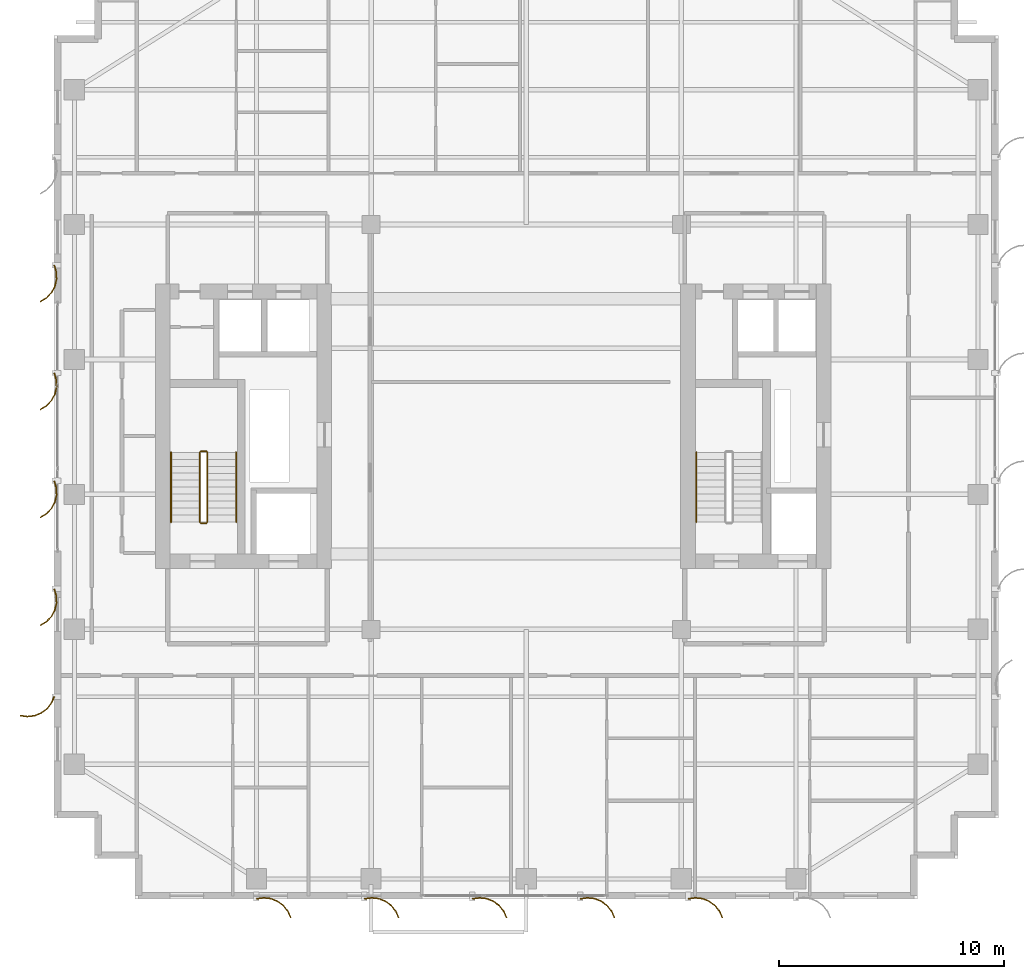
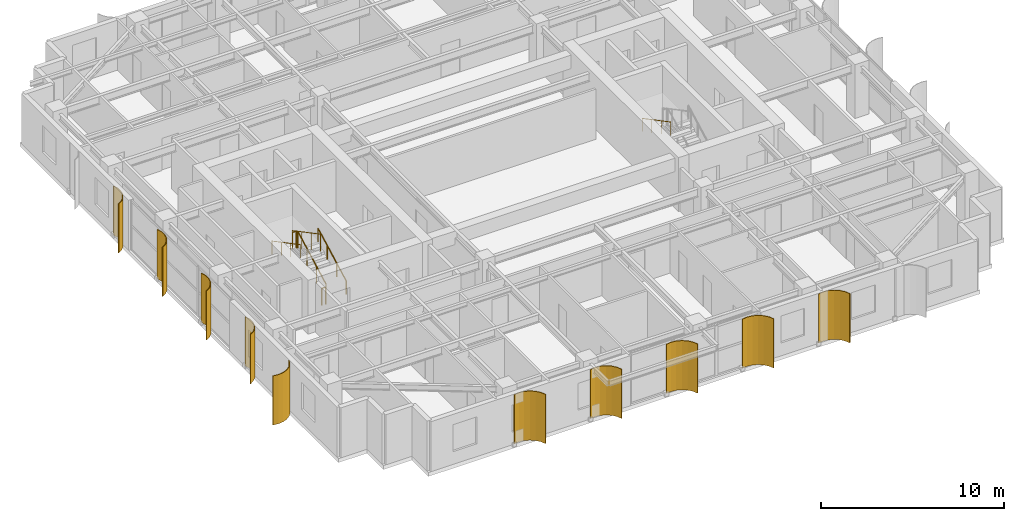
# One storey, part 19 of 21: 10 shading devices, 7 railings.
"""IFC4 building model written with IfcOpenShell, lengths in metres."""

from ifc_helpers import new_model, si_unit, direction, frame, origin, origin_2d, place, context, subcontext, project, spatial, polyline, circle, outline, extrude, source, transform, mapped, material, layer, layer_set, type_object, element, save


model = new_model("IFC4")

# Units and contexts
model_context = context("Model", 3, precision=1e-05, world=origin(), true_north=direction((0.0, 1.0)))
body_context = subcontext(model_context, "Body", "Model", "MODEL_VIEW")
ifc_project = project(units=[si_unit("LENGTHUNIT", "METRE"), si_unit("AREAUNIT", "SQUARE_METRE"), si_unit("VOLUMEUNIT", "CUBIC_METRE"), si_unit("PLANEANGLEUNIT", "RADIAN"), si_unit("MASSUNIT", "GRAM", prefix="KILO")], contexts=[model_context])

# Site, building, storey
site_placement = place(None, origin())
site = spatial("IfcSite", under=ifc_project, at=site_placement, CompositionType="ELEMENT")
building_placement = place(site_placement, origin())
building = spatial("IfcBuilding", under=site, at=building_placement, Name="Khoralis Quay Care Tower", CompositionType="ELEMENT")
storey_placement = place(building_placement, frame((0.0, 0.0, 159.300048828125)))
storey = spatial("IfcBuildingStorey", under=building, at=storey_placement, Name="L41", CompositionType="ELEMENT", Elevation=159.300048828125)

# Railings
ifc_material_1 = material(Name="Brushed stainless steel", Category="steel")
railing_type_1 = type_object("IfcRailingType", Name="RL-GUARD-1150", PredefinedType="GUARDRAIL", material=ifc_material_1)
railing_1_placement = place(storey_placement, frame((9.820068359375, 16.77001953125, 0.16357421875)))
element("IfcRailing", 1, at=railing_1_placement, inside=storey, type_object=railing_type_1, Name="L41 ST-T1 stair guard 1", PredefinedType="GUARDRAIL", context=body_context, shape_type="SweptSolid", body=[
    extrude(circle(Radius=0.02392578125, at=origin_2d()), frame((0.0, 0.0, 1.1259765625), z_axis=(0.0, 0.884348015382, 0.466828220752), x_axis=(-1.0, 0.0, 0.0)), (0.0, 0.0, 1.0), 3.505615234375),
    extrude(circle(Radius=0.02099609375, at=origin_2d()), origin(), (0.0, 0.0, 1.0), 1.101806640625),
    extrude(circle(Radius=0.02099609375, at=origin_2d()), frame((0.0, 1.033447265625, 0.54541015625)), (0.0, 0.0, 1.0), 1.101806640625),
    extrude(circle(Radius=0.02099609375, at=origin_2d()), frame((0.0, 2.066650390625, 1.091064453125)), (0.0, 0.0, 1.0), 1.101806640625),
    extrude(circle(Radius=0.02099609375, at=origin_2d()), frame((0.0, 3.10009765625, 1.636474609375)), (0.0, 0.0, 1.0), 1.101806640625),
])
railing_2_placement = place(storey_placement, frame((9.77001953125, 19.919921875, 1.800048828125)))
element("IfcRailing", 2, at=railing_2_placement, inside=storey, type_object=railing_type_1, Name="L41 ST-T1 stair guard 2", PredefinedType="GUARDRAIL", context=body_context, shape_type="SweptSolid", body=[
    extrude(circle(Radius=0.02392578125, at=origin_2d()), frame((0.0, 0.0, 1.1259765625), z_axis=(-1.0, 0.0, 0.0), x_axis=(0.0, -1.0, 0.0)), (0.0, 0.0, 1.0), 0.239990234375),
    extrude(circle(Radius=0.02099609375, at=origin_2d()), origin(), (0.0, 0.0, 1.0), 1.101806640625),
    extrude(circle(Radius=0.02099609375, at=origin_2d()), frame((-0.239990234375, 0.0, 0.0)), (0.0, 0.0, 1.0), 1.101806640625),
])
railing_3_placement = place(storey_placement, frame((9.47998046875, 19.8701171875, 1.963623046875)))
element("IfcRailing", 3, at=railing_3_placement, inside=storey, type_object=railing_type_1, Name="L41 ST-T1 stair guard 3", PredefinedType="GUARDRAIL", context=body_context, shape_type="SweptSolid", body=[
    extrude(circle(Radius=0.02392578125, at=origin_2d()), frame((0.0, 0.0, 1.1259765625), z_axis=(0.0, -0.884376766648, 0.46677375099), x_axis=(1.0, 0.0, 0.0)), (0.0, 0.0, 1.0), 3.50537109375),
    extrude(circle(Radius=0.02099609375, at=origin_2d()), origin(), (0.0, 0.0, 1.0), 1.101806640625),
    extrude(circle(Radius=0.02099609375, at=origin_2d()), frame((0.0, -1.033447265625, 0.54541015625)), (0.0, 0.0, 1.0), 1.101806640625),
    extrude(circle(Radius=0.02099609375, at=origin_2d()), frame((0.0, -2.066650390625, 1.0908203125)), (0.0, 0.0, 1.0), 1.101806640625),
    extrude(circle(Radius=0.02099609375, at=origin_2d()), frame((0.0, -3.10009765625, 1.63623046875)), (0.0, 0.0, 1.0), 1.101806640625),
])
railing_4_placement = place(storey_placement, frame((9.77001953125, 16.719970703125, 0.0)))
element("IfcRailing", 4, at=railing_4_placement, inside=storey, type_object=railing_type_1, Name="L41 ST-T1 stair guard 4", PredefinedType="GUARDRAIL", context=body_context, shape_type="SweptSolid", body=[
    extrude(circle(Radius=0.02392578125, at=origin_2d()), frame((0.0, 0.0, 1.1259765625), z_axis=(-1.0, 0.0, 0.0), x_axis=(0.0, -1.0, 0.0)), (0.0, 0.0, 1.0), 0.239990234375),
    extrude(circle(Radius=0.02099609375, at=origin_2d()), origin(), (0.0, 0.0, 1.0), 1.101806640625),
    extrude(circle(Radius=0.02099609375, at=origin_2d()), frame((-0.239990234375, 0.0, 0.0)), (0.0, 0.0, 1.0), 1.101806640625),
])
railing_type_2 = type_object("IfcRailingType", Name="RL-HAND-900", PredefinedType="HANDRAIL", material=ifc_material_1)
railing_5_placement = place(storey_placement, frame((11.10009765625, 16.77001953125, 0.16357421875)))
element("IfcRailing", 5, at=railing_5_placement, inside=storey, type_object=railing_type_2, Name="L41 ST-T1 stair handrail 1", PredefinedType="HANDRAIL", context=body_context, shape_type="SweptSolid", body=[
    extrude(circle(Radius=0.02392578125, at=origin_2d()), frame((0.0, 0.0, 0.8759765625), z_axis=(0.0, 0.884348015382, 0.466828220752), x_axis=(-1.0, 0.0, 0.0)), (0.0, 0.0, 1.0), 3.505615234375),
    extrude(circle(Radius=0.02099609375, at=origin_2d()), origin(), (0.0, 0.0, 1.0), 0.851806640625),
    extrude(circle(Radius=0.02099609375, at=origin_2d()), frame((0.0, 1.033447265625, 0.54541015625)), (0.0, 0.0, 1.0), 0.851806640625),
    extrude(circle(Radius=0.02099609375, at=origin_2d()), frame((0.0, 2.066650390625, 1.091064453125)), (0.0, 0.0, 1.0), 0.851806640625),
    extrude(circle(Radius=0.02099609375, at=origin_2d()), frame((0.0, 3.10009765625, 1.636474609375)), (0.0, 0.0, 1.0), 0.851806640625),
])
for number, where, name in (
    (6, (8.199951171875, 19.8701171875, 1.963623046875), "L41 ST-T1 stair handrail 2"),
    (7, (31.570068359375, 19.8701171875, 1.963623046875), "L41 ST-T2 stair handrail 2"),
):
    element("IfcRailing", number, at=place(storey_placement, frame(where)), inside=storey, type_object=railing_type_2, Name=name, PredefinedType="HANDRAIL", context=body_context, shape_type="SweptSolid", body=[
        extrude(circle(Radius=0.02392578125, at=origin_2d()), frame((0.0, 0.0, 0.8759765625), z_axis=(0.0, -0.884376766648, 0.46677375099), x_axis=(1.0, 0.0, 0.0)), (0.0, 0.0, 1.0), 3.50537109375),
        extrude(circle(Radius=0.02099609375, at=origin_2d()), origin(), (0.0, 0.0, 1.0), 0.851806640625),
        extrude(circle(Radius=0.02099609375, at=origin_2d()), frame((0.0, -1.033447265625, 0.54541015625)), (0.0, 0.0, 1.0), 0.851806640625),
        extrude(circle(Radius=0.02099609375, at=origin_2d()), frame((0.0, -2.066650390625, 1.0908203125)), (0.0, 0.0, 1.0), 0.851806640625),
        extrude(circle(Radius=0.02099609375, at=origin_2d()), frame((0.0, -3.10009765625, 1.63623046875)), (0.0, 0.0, 1.0), 0.851806640625),
    ])

# Shading devices
ifc_material_2 = material(Name="Brushed pale anodised aluminium", Category="aluminium")
ifc_layer = layer(ifc_material_2, 0.044921875)
ifc_layer_set = layer_set([ifc_layer], Name="Brushed pale anodised aluminium")
shading_device_type = type_object("IfcShadingDeviceType", Name="SHD-FIN-1250", PredefinedType="USERDEFINED", material=ifc_layer_set)
shared_shape_1 = source(origin(), body_context, "Body", "SweptSolid", [
    extrude(outline(polyline([(0.0, 0.0), (-0.04833984375, 0.32275390625), (-0.01123046875, 0.64697265625), (0.1083984375, 0.950439453125), (0.302490234375, 1.212890625), (0.557861328125, 1.416015625), (0.85693359375, 1.546142578125), (0.869384765625, 1.5029296875), (0.5810546875, 1.37744140625), (0.334716796875, 1.181640625), (0.147705078125, 0.9287109375), (0.032470703125, 0.635986328125), (-0.003173828125, 0.323486328125), (0.043212890625, 0.012451171875), (0.0, 0.0)])), origin(), (0.0, 0.0, 1.0), 3.280029296875),
])
for number, where, z_axis, x_axis, name in (
    (8, (12.0, 0.030029296875, 0.02001953125), (0.0, 0.0, 1.0), (0.0, -1.0, 0.0), "L41 Curved Solar Fin P1E0-01"),
    (9, (16.800048828125, 0.030029296875, 0.02001953125), (0.0, 0.0, 1.0), (0.0, -1.0, 0.0), "L41 Curved Solar Fin P1E0-02"),
    (10, (21.60009765625, 0.030029296875, 0.02001953125), (0.0, 0.0, 1.0), (0.0, -1.0, 0.0), "L41 Curved Solar Fin P1E0-03"),
    (11, (26.39990234375, 0.030029296875, 0.02001953125), (0.0, 0.0, 1.0), (0.0, -1.0, 0.0), "L41 Curved Solar Fin P1E0-04"),
    (12, (31.199951171875, 0.030029296875, 0.02001953125), (0.0, 0.0, 1.0), (0.0, -1.0, 0.0), "L41 Curved Solar Fin P1E0-05"),
):
    element("IfcShadingDevice", number, at=place(storey_placement, frame(where, z_axis=z_axis, x_axis=x_axis)), inside=storey, type_object=shading_device_type, Name=name, ObjectType="FIN", PredefinedType="USERDEFINED", context=body_context, shape_type="MappedRepresentation", body=[
        mapped(shared_shape_1, transform((0.0, 0.0, 0.0), scale=1.0)),
    ])
shared_shape_2 = source(origin(), body_context, "Body", "SweptSolid", [
    extrude(outline(polyline([(0.0, 0.0), (-0.0927734375, 0.31298828125), (-0.101318359375, 0.63916015625), (-0.025146484375, 0.956298828125), (0.130615234375, 1.2431640625), (0.355224609375, 1.479736328125), (0.633544921875, 1.650390625), (0.65185546875, 1.609130859375), (0.383544921875, 1.44482421875), (0.1669921875, 1.216796875), (0.01708984375, 0.940185546875), (-0.056396484375, 0.63427734375), (-0.04833984375, 0.31982421875), (0.041015625, 0.018310546875), (0.0, 0.0)])), origin(), (0.0, 0.0, 1.0), 3.280029296875),
])
for number, where, z_axis, x_axis, name in (
    (13, (3.030029296875, 28.199951171875, 0.02001953125), (0.0, 0.0, 1.0), (-1.0, 0.0, 0.0), "L41 Curved Solar Fin P1E15-02"),
    (14, (3.030029296875, 23.39990234375, 0.02001953125), (0.0, 0.0, 1.0), (-1.0, 0.0, 0.0), "L41 Curved Solar Fin P1E15-03"),
    (15, (3.030029296875, 18.60009765625, 0.02001953125), (0.0, 0.0, 1.0), (-1.0, 0.0, 0.0), "L41 Curved Solar Fin P1E15-04"),
    (16, (3.030029296875, 13.800048828125, 0.02001953125), (0.0, 0.0, 1.0), (-1.0, 0.0, 0.0), "L41 Curved Solar Fin P1E15-05"),
):
    element("IfcShadingDevice", number, at=place(storey_placement, frame(where, z_axis=z_axis, x_axis=x_axis)), inside=storey, type_object=shading_device_type, Name=name, ObjectType="FIN", PredefinedType="USERDEFINED", context=body_context, shape_type="MappedRepresentation", body=[
        mapped(shared_shape_2, transform((0.0, 0.0, 0.0), scale=1.0)),
    ])
shared_shape_3 = source(origin(), body_context, "Body", "SweptSolid", [
    extrude(outline(polyline([(0.0, 0.0), (0.130126953125, 0.29931640625), (0.333251953125, 0.5546875), (0.595458984375, 0.748779296875), (0.899169921875, 0.868408203125), (1.223388671875, 0.9052734375), (1.546142578125, 0.85693359375), (1.53369140625, 0.813720703125), (1.22265625, 0.8603515625), (0.91015625, 0.82470703125), (0.617431640625, 0.70947265625), (0.364501953125, 0.522216796875), (0.168701171875, 0.276123046875), (0.043212890625, -0.012451171875), (0.0, 0.0)])), origin(), (0.0, 0.0, 1.0), 3.280029296875),
])
shading_device_placement = place(storey_placement, frame((3.030029296875, 9.0, 0.02001953125), z_axis=(0.0, 0.0, 1.0), x_axis=(-1.0, 0.0, 0.0)))
element("IfcShadingDevice", 17, at=shading_device_placement, inside=storey, type_object=shading_device_type, Name="L41 Curved Solar Fin P1E15-06", ObjectType="FIN", PredefinedType="USERDEFINED", context=body_context, shape_type="MappedRepresentation", body=[
    mapped(shared_shape_3, transform((0.0, 0.0, 0.0), scale=1.0)),
])

save(model, "model.ifc")
